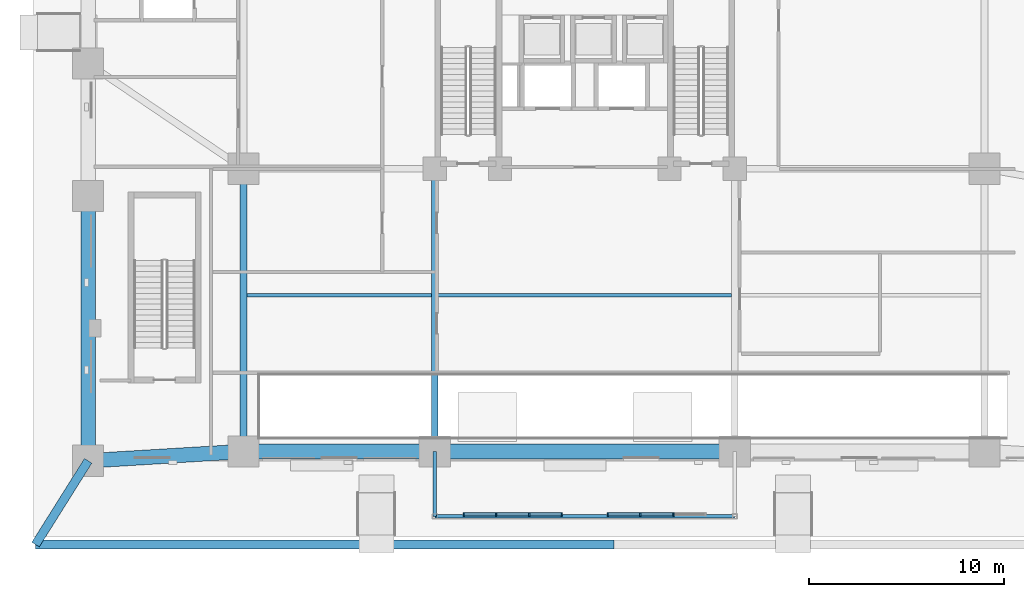
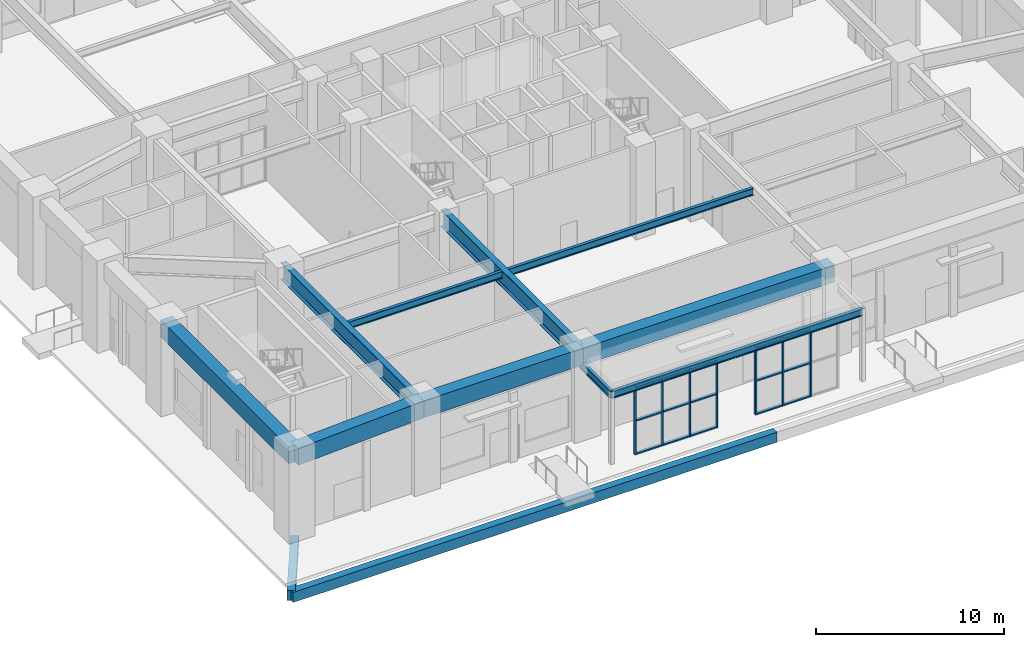
# One storey, part 6 of 24: 22 members, 12 beams, 2 elements without a shape of their own.
"""IFC4 building model written with IfcOpenShell, lengths in metres."""

from ifc_helpers import new_model, si_unit, derived_unit, direction, frame, origin, origin_2d, place, context, subcontext, project, spatial, rectangle, i_section, extrude, material, material_profile, profile_set, type_object, element, aggregate, save


model = new_model("IFC4")

# Units and contexts
model_context = context("Model", 3, precision=1e-05, world=origin(), true_north=direction((0.0, 1.0)))
body_context = subcontext(model_context, "Body", "Model", "MODEL_VIEW")
ifc_project = project(units=[si_unit("LENGTHUNIT", "METRE"), si_unit("AREAUNIT", "SQUARE_METRE"), si_unit("VOLUMEUNIT", "CUBIC_METRE"), si_unit("PLANEANGLEUNIT", "RADIAN"), si_unit("MASSUNIT", "GRAM", prefix="KILO"), derived_unit("THERMALTRANSMITTANCEUNIT", [(si_unit("MASSUNIT", "GRAM", prefix="KILO"), 1), (si_unit("TIMEUNIT", "SECOND"), -3), (si_unit("THERMODYNAMICTEMPERATUREUNIT", "KELVIN"), -1)])], contexts=[model_context])

# Site, building, storey
site_placement = place(None, origin())
site = spatial("IfcSite", under=ifc_project, at=site_placement, CompositionType="ELEMENT")
building_placement = place(site_placement, origin())
building = spatial("IfcBuilding", under=site, at=building_placement, Name="Korrvale Station Residences", CompositionType="ELEMENT")
storey_placement = place(building_placement, origin())
storey = spatial("IfcBuildingStorey", under=building, at=storey_placement, Name="L00", CompositionType="ELEMENT", Elevation=0.0)

# Beams
ifc_material_1 = material(Name="Concrete C50/60", Category="concrete")
ifc_material_profile_1 = material_profile(ifc_material_1, rectangle(XDim=0.449951171875, YDim=0.64990234375, at=origin_2d()), Name="RCB450x650")
ifc_profile_set_1 = profile_set([ifc_material_profile_1], Name="Concrete C50/60")
beam_type_1 = type_object("IfcBeamType", Name="BM-BM-RCB450x650-C5060", PredefinedType="BEAM", material=ifc_profile_set_1)
beam_1_placement = place(storey_placement, frame((-2.699951171875, -4.300048828125, -0.52490234375), z_axis=(1.0, 0.0, 0.0), x_axis=(0.0, 1.0, 0.0)))
element("IfcBeam", 1, at=beam_1_placement, inside=storey, type_object=beam_type_1, Name="L00 Station Forecourt Edge Beam 1", PredefinedType="BEAM", context=body_context, shape_type="SweptSolid", body=[
    extrude(rectangle(XDim=0.449951171875, YDim=0.64990234375, at=origin_2d()), origin(), (0.0, 0.0, 1.0), 29.699951171875),
])
beam_2_placement = place(storey_placement, frame((-2.699951171875, -4.300048828125, -0.52490234375), z_axis=(0.53175690427, 0.846897039055, 0.0), x_axis=(-0.846897039055, 0.53175690427, 0.0)))
element("IfcBeam", 2, at=beam_2_placement, inside=storey, type_object=beam_type_1, Name="L00 Station Forecourt Edge Beam 5", PredefinedType="BEAM", context=body_context, shape_type="SweptSolid", body=[
    extrude(rectangle(XDim=0.449951171875, YDim=0.64990234375, at=origin_2d()), origin(), (0.0, 0.0, 1.0), 5.077392578125),
])
ifc_material_2 = material(Name="Steel S355", Category="steel")
ifc_material_profile_2 = material_profile(ifc_material_2, i_section(OverallWidth=0.194091796875, OverallDepth=0.468994140625, WebThickness=0.0126953125, FlangeThickness=0.0205078125, FilletRadius=0.01611328125, at=origin_2d()), Name="W460x106")
ifc_profile_set_2 = profile_set([ifc_material_profile_2], Name="Steel S355")
beam_type_2 = type_object("IfcBeamType", Name="BM-BM-W460x106-S355", PredefinedType="BEAM", material=ifc_profile_set_2)
beam_3_placement = place(storey_placement, frame((17.800048828125, 0.47998046875, 4.4599609375), z_axis=(0.0, -1.0, 0.0), x_axis=(1.0, 0.0, 0.0)))
element("IfcBeam", 3, at=beam_3_placement, inside=storey, type_object=beam_type_2, Name="South Canopy Support Beam 1", PredefinedType="BEAM", context=body_context, shape_type="SweptSolid", body=[
    extrude(i_section(OverallWidth=0.194091796875, OverallDepth=0.468994140625, WebThickness=0.0126953125, FlangeThickness=0.0205078125, FilletRadius=0.01611328125, at=origin_2d()), origin(), (0.0, 0.0, 1.0), 3.330078125),
])
beam_4_placement = place(storey_placement, frame((17.800048828125, -2.85009765625, 4.4599609375), z_axis=(1.0, 0.0, 0.0), x_axis=(0.0, 1.0, 0.0)))
element("IfcBeam", 4, at=beam_4_placement, inside=storey, type_object=beam_type_2, Name="South Canopy Edge Tie Beam", PredefinedType="BEAM", context=body_context, shape_type="SweptSolid", body=[
    extrude(i_section(OverallWidth=0.194091796875, OverallDepth=0.468994140625, WebThickness=0.0126953125, FlangeThickness=0.0205078125, FilletRadius=0.01611328125, at=origin_2d()), origin(), (0.0, 0.0, 1.0), 15.39990234375),
])
ifc_material_profile_3 = material_profile(ifc_material_2, i_section(OverallWidth=0.35009765625, OverallDepth=1.10009765625, WebThickness=0.01611328125, FlangeThickness=0.034912109375, FilletRadius=0.01806640625, at=origin_2d()), Name="WWF1100x351")
ifc_profile_set_3 = profile_set([ifc_material_profile_3], Name="Steel S355")
beam_type_3 = type_object("IfcBeamType", Name="BM-BM-WWF1100x351-S355", PredefinedType="BEAM", material=ifc_profile_set_3)
for number, where, z_axis, x_axis, name in (
    (5, (7.97998046875, 0.47998046875, 5.1298828125), (0.0, 1.0, 0.0), (-1.0, 0.0, 0.0), "L00 Station Primary Girder 01"),
    (6, (17.800048828125, 0.47998046875, 5.1298828125), (0.0, 1.0, 0.0), (-1.0, 0.0, 0.0), "L00 Station Primary Girder 17"),
):
    element("IfcBeam", number, at=place(storey_placement, frame(where, z_axis=z_axis, x_axis=x_axis)), inside=storey, type_object=beam_type_3, Name=name, PredefinedType="BEAM", context=body_context, shape_type="SweptSolid", body=[
        extrude(i_section(OverallWidth=0.35009765625, OverallDepth=1.10009765625, WebThickness=0.01611328125, FlangeThickness=0.034912109375, FilletRadius=0.01806640625, at=origin_2d()), origin(), (0.0, 0.0, 1.0), 14.52001953125),
    ])
ifc_material_profile_4 = material_profile(ifc_material_2, i_section(OverallWidth=0.18994140625, OverallDepth=0.45703125, WebThickness=0.009033203125, FlangeThickness=0.014404296875, FilletRadius=0.01611328125, at=origin_2d()), Name="W460x74")
ifc_profile_set_4 = profile_set([ifc_material_profile_4], Name="Steel S355")
beam_type_4 = type_object("IfcBeamType", Name="BM-JST-W460x74-S355", PredefinedType="JOIST", material=ifc_profile_set_4)
beam_5_placement = place(storey_placement, frame((8.155029296875, 8.5, 5.451416015625), z_axis=(1.0, 0.0, 0.0), x_axis=(0.0, 1.0, 0.0)))
element("IfcBeam", 7, at=beam_5_placement, inside=storey, type_object=beam_type_4, Name="L00 Station Floor Joist 05", PredefinedType="JOIST", context=body_context, shape_type="SweptSolid", body=[
    extrude(i_section(OverallWidth=0.18994140625, OverallDepth=0.45703125, WebThickness=0.009033203125, FlangeThickness=0.014404296875, FilletRadius=0.01611328125, at=origin_2d()), origin(), (0.0, 0.0, 1.0), 9.469970703125),
])
beam_6_placement = place(storey_placement, frame((17.97509765625, 8.5, 5.451416015625), z_axis=(1.0, 0.0, 0.0), x_axis=(0.0, 1.0, 0.0)))
element("IfcBeam", 8, at=beam_6_placement, inside=storey, type_object=beam_type_4, Name="L00 Station Floor Joist 06", PredefinedType="JOIST", context=body_context, shape_type="SweptSolid", body=[
    extrude(i_section(OverallWidth=0.18994140625, OverallDepth=0.45703125, WebThickness=0.009033203125, FlangeThickness=0.014404296875, FilletRadius=0.01611328125, at=origin_2d()), origin(), (0.0, 0.0, 1.0), 15.0498046875),
])
ifc_material_3 = material(Name="Concrete C70/85", Category="concrete")
ifc_material_profile_5 = material_profile(ifc_material_3, rectangle(XDim=0.75, YDim=1.10009765625, at=origin_2d()), Name="RCB750x1100")
ifc_profile_set_5 = profile_set([ifc_material_profile_5], Name="Concrete C70/85")
beam_type_5 = type_object("IfcBeamType", Name="BM-SPB-RCB750x1100-C7085", PredefinedType="SPANDREL", material=ifc_profile_set_5)
beam_7_placement = place(storey_placement, frame((0.0, 0.0, 5.1298828125), z_axis=(0.0, 1.0, 0.0), x_axis=(-1.0, 0.0, 0.0)))
element("IfcBeam", 9, at=beam_7_placement, inside=storey, type_object=beam_type_5, Name="L00 Station Spandrel Beam 01", PredefinedType="SPANDREL", context=body_context, shape_type="SweptSolid", body=[
    extrude(rectangle(XDim=0.75, YDim=1.10009765625, at=origin_2d()), origin(), (0.0, 0.0, 1.0), 13.60009765625),
])
beam_8_placement = place(storey_placement, frame((0.0, 0.0, 5.1298828125), z_axis=(0.998195997903, 0.060039568374, 0.0), x_axis=(-0.060039568374, 0.998195997903, 0.0)))
element("IfcBeam", 10, at=beam_8_placement, inside=storey, type_object=beam_type_5, Name="L00 Station Spandrel Beam 11", PredefinedType="SPANDREL", context=body_context, shape_type="SweptSolid", body=[
    extrude(rectangle(XDim=0.75, YDim=1.10009765625, at=origin_2d()), origin(), (0.0, 0.0, 1.0), 7.994384765625),
])
beam_9_placement = place(storey_placement, frame((7.97998046875, 0.47998046875, 5.1298828125), z_axis=(1.0, 0.0, 0.0), x_axis=(0.0, 1.0, 0.0)))
element("IfcBeam", 11, at=beam_9_placement, inside=storey, type_object=beam_type_5, Name="L00 Station Spandrel Beam 12", PredefinedType="SPANDREL", context=body_context, shape_type="SweptSolid", body=[
    extrude(rectangle(XDim=0.75, YDim=1.10009765625, at=origin_2d()), origin(), (0.0, 0.0, 1.0), 9.820068359375),
])
beam_10_placement = place(storey_placement, frame((17.800048828125, 0.47998046875, 5.1298828125), z_axis=(1.0, 0.0, 0.0), x_axis=(0.0, 1.0, 0.0)))
element("IfcBeam", 12, at=beam_10_placement, inside=storey, type_object=beam_type_5, Name="L00 Station Spandrel Beam 13", PredefinedType="SPANDREL", context=body_context, shape_type="SweptSolid", body=[
    extrude(rectangle(XDim=0.75, YDim=1.10009765625, at=origin_2d()), origin(), (0.0, 0.0, 1.0), 15.39990234375),
])

# Curtain wall, members
ifc_material_4 = material(Name="Unitised thermally broken aluminium curtain wall with triple low-e IGU", Category="aluminium")
curtain_wall_type = type_object("IfcCurtainWallType", Name="CW-STN-ENT", PredefinedType="NOTDEFINED", material=ifc_material_4)
curtain_wall_1_placement = place(storey_placement, origin())
curtain_wall_1 = element("IfcCurtainWall", 13, at=curtain_wall_1_placement, inside=storey, type_object=curtain_wall_type, Name="L00 Curtain Wall CW1-RUN-1", PredefinedType="NOTDEFINED")
ifc_material_5 = material(Name="Extruded thermally broken aluminium mullion", Category="aluminium")
member_type_1 = type_object("IfcMemberType", Name="CW-STN-ENT-M", PredefinedType="MULLION", material=ifc_material_5)
member_1_placement = place(storey_placement, frame((19.29248046875, -2.75, 0.0), z_axis=(0.0, 0.0, 1.0), x_axis=(1.0, 0.0, 0.0)))
member_1 = element("IfcMember", 14, at=member_1_placement, type_object=member_type_1, Name="CW-STN-ENT Mullion 1", PredefinedType="MULLION", context=body_context, shape_type="SweptSolid", body=[
    extrude(rectangle(XDim=0.0849609375, YDim=0.179931640625, at=origin_2d()), origin(), (0.0, 0.0, 1.0), 4.39990234375),
])
member_2_placement = place(storey_placement, frame((20.949951171875, -2.75, 0.0), z_axis=(0.0, 0.0, 1.0), x_axis=(1.0, 0.0, 0.0)))
member_2 = element("IfcMember", 15, at=member_2_placement, type_object=member_type_1, Name="CW-STN-ENT Mullion 2", PredefinedType="MULLION", context=body_context, shape_type="SweptSolid", body=[
    extrude(rectangle(XDim=0.0849609375, YDim=0.179931640625, at=origin_2d()), origin(), (0.0, 0.0, 1.0), 4.39990234375),
])
member_3_placement = place(storey_placement, frame((22.64990234375, -2.75, 0.0), z_axis=(0.0, 0.0, 1.0), x_axis=(1.0, 0.0, 0.0)))
member_3 = element("IfcMember", 16, at=member_3_placement, type_object=member_type_1, Name="CW-STN-ENT Mullion 3", PredefinedType="MULLION", context=body_context, shape_type="SweptSolid", body=[
    extrude(rectangle(XDim=0.0849609375, YDim=0.179931640625, at=origin_2d()), origin(), (0.0, 0.0, 1.0), 4.39990234375),
])
member_4_placement = place(storey_placement, frame((24.3076171875, -2.75, 0.0), z_axis=(0.0, 0.0, 1.0), x_axis=(1.0, 0.0, 0.0)))
member_4 = element("IfcMember", 17, at=member_4_placement, type_object=member_type_1, Name="CW-STN-ENT Mullion 4", PredefinedType="MULLION", context=body_context, shape_type="SweptSolid", body=[
    extrude(rectangle(XDim=0.0849609375, YDim=0.179931640625, at=origin_2d()), origin(), (0.0, 0.0, 1.0), 4.39990234375),
])

curtain_wall_2_placement = place(storey_placement, origin())
curtain_wall_2 = element("IfcCurtainWall", 18, at=curtain_wall_2_placement, inside=storey, type_object=curtain_wall_type, Name="L00 Curtain Wall CW1-RUN-2", PredefinedType="NOTDEFINED")
member_5_placement = place(storey_placement, frame((26.6923828125, -2.75, 0.0), z_axis=(0.0, 0.0, 1.0), x_axis=(1.0, 0.0, 0.0)))
member_5 = element("IfcMember", 19, at=member_5_placement, type_object=member_type_1, Name="CW-STN-ENT Mullion 1", PredefinedType="MULLION", context=body_context, shape_type="SweptSolid", body=[
    extrude(rectangle(XDim=0.0849609375, YDim=0.179931640625, at=origin_2d()), origin(), (0.0, 0.0, 1.0), 4.39990234375),
])
member_6_placement = place(storey_placement, frame((28.35009765625, -2.75, 0.0), z_axis=(0.0, 0.0, 1.0), x_axis=(1.0, 0.0, 0.0)))
member_6 = element("IfcMember", 20, at=member_6_placement, type_object=member_type_1, Name="CW-STN-ENT Mullion 2", PredefinedType="MULLION", context=body_context, shape_type="SweptSolid", body=[
    extrude(rectangle(XDim=0.0849609375, YDim=0.179931640625, at=origin_2d()), origin(), (0.0, 0.0, 1.0), 4.39990234375),
])
member_7_placement = place(storey_placement, frame((30.050048828125, -2.75, 0.0), z_axis=(0.0, 0.0, 1.0), x_axis=(1.0, 0.0, 0.0)))
member_7 = element("IfcMember", 21, at=member_7_placement, type_object=member_type_1, Name="CW-STN-ENT Mullion 3", PredefinedType="MULLION", context=body_context, shape_type="SweptSolid", body=[
    extrude(rectangle(XDim=0.0849609375, YDim=0.179931640625, at=origin_2d()), origin(), (0.0, 0.0, 1.0), 4.39990234375),
])

# Member
ifc_material_6 = material(Name="Extruded thermally broken aluminium transom", Category="aluminium")
member_type_2 = type_object("IfcMemberType", Name="CW-STN-ENT-T", PredefinedType="USERDEFINED", material=ifc_material_6)
member_8_placement = place(storey_placement, frame((20.10009765625, -2.75, 0.0), z_axis=(0.0, 0.0, 1.0), x_axis=(1.0, 0.0, 0.0)))
member_8 = element("IfcMember", 22, at=member_8_placement, type_object=member_type_2, Name="CW-STN-ENT Transom 1-1", ObjectType="TRANSOM", PredefinedType="USERDEFINED", context=body_context, shape_type="SweptSolid", body=[
    extrude(rectangle(XDim=1.614990234375, YDim=0.179931640625, at=origin_2d()), origin(), (0.0, 0.0, 1.0), 0.0849609375),
])

member_9_placement = place(storey_placement, frame((20.10009765625, -2.75, 2.157470703125), z_axis=(0.0, 0.0, 1.0), x_axis=(1.0, 0.0, 0.0)))
member_9 = element("IfcMember", 23, at=member_9_placement, type_object=member_type_2, Name="CW-STN-ENT Transom 1-2", ObjectType="TRANSOM", PredefinedType="USERDEFINED", context=body_context, shape_type="SweptSolid", body=[
    extrude(rectangle(XDim=1.614990234375, YDim=0.179931640625, at=origin_2d()), origin(), (0.0, 0.0, 1.0), 0.0849609375),
])

member_10_placement = place(storey_placement, frame((20.10009765625, -2.75, 4.31494140625), z_axis=(0.0, 0.0, 1.0), x_axis=(1.0, 0.0, 0.0)))
member_10 = element("IfcMember", 24, at=member_10_placement, type_object=member_type_2, Name="CW-STN-ENT Transom 1-3", ObjectType="TRANSOM", PredefinedType="USERDEFINED", context=body_context, shape_type="SweptSolid", body=[
    extrude(rectangle(XDim=1.614990234375, YDim=0.179931640625, at=origin_2d()), origin(), (0.0, 0.0, 1.0), 0.0849609375),
])

member_11_placement = place(storey_placement, frame((21.800048828125, -2.75, 0.0), z_axis=(0.0, 0.0, 1.0), x_axis=(1.0, 0.0, 0.0)))
member_11 = element("IfcMember", 25, at=member_11_placement, type_object=member_type_2, Name="CW-STN-ENT Transom 2-1", ObjectType="TRANSOM", PredefinedType="USERDEFINED", context=body_context, shape_type="SweptSolid", body=[
    extrude(rectangle(XDim=1.614990234375, YDim=0.179931640625, at=origin_2d()), origin(), (0.0, 0.0, 1.0), 0.0849609375),
])

member_12_placement = place(storey_placement, frame((21.800048828125, -2.75, 2.157470703125), z_axis=(0.0, 0.0, 1.0), x_axis=(1.0, 0.0, 0.0)))
member_12 = element("IfcMember", 26, at=member_12_placement, type_object=member_type_2, Name="CW-STN-ENT Transom 2-2", ObjectType="TRANSOM", PredefinedType="USERDEFINED", context=body_context, shape_type="SweptSolid", body=[
    extrude(rectangle(XDim=1.614990234375, YDim=0.179931640625, at=origin_2d()), origin(), (0.0, 0.0, 1.0), 0.0849609375),
])

member_13_placement = place(storey_placement, frame((21.800048828125, -2.75, 4.31494140625), z_axis=(0.0, 0.0, 1.0), x_axis=(1.0, 0.0, 0.0)))
member_13 = element("IfcMember", 27, at=member_13_placement, type_object=member_type_2, Name="CW-STN-ENT Transom 2-3", ObjectType="TRANSOM", PredefinedType="USERDEFINED", context=body_context, shape_type="SweptSolid", body=[
    extrude(rectangle(XDim=1.614990234375, YDim=0.179931640625, at=origin_2d()), origin(), (0.0, 0.0, 1.0), 0.0849609375),
])

member_14_placement = place(storey_placement, frame((23.5, -2.75, 0.0), z_axis=(0.0, 0.0, 1.0), x_axis=(1.0, 0.0, 0.0)))
member_14 = element("IfcMember", 28, at=member_14_placement, type_object=member_type_2, Name="CW-STN-ENT Transom 3-1", ObjectType="TRANSOM", PredefinedType="USERDEFINED", context=body_context, shape_type="SweptSolid", body=[
    extrude(rectangle(XDim=1.614990234375, YDim=0.179931640625, at=origin_2d()), origin(), (0.0, 0.0, 1.0), 0.0849609375),
])

member_15_placement = place(storey_placement, frame((23.5, -2.75, 2.157470703125), z_axis=(0.0, 0.0, 1.0), x_axis=(1.0, 0.0, 0.0)))
member_15 = element("IfcMember", 29, at=member_15_placement, type_object=member_type_2, Name="CW-STN-ENT Transom 3-2", ObjectType="TRANSOM", PredefinedType="USERDEFINED", context=body_context, shape_type="SweptSolid", body=[
    extrude(rectangle(XDim=1.614990234375, YDim=0.179931640625, at=origin_2d()), origin(), (0.0, 0.0, 1.0), 0.0849609375),
])

member_16_placement = place(storey_placement, frame((23.5, -2.75, 4.31494140625), z_axis=(0.0, 0.0, 1.0), x_axis=(1.0, 0.0, 0.0)))
member_16 = element("IfcMember", 30, at=member_16_placement, type_object=member_type_2, Name="CW-STN-ENT Transom 3-3", ObjectType="TRANSOM", PredefinedType="USERDEFINED", context=body_context, shape_type="SweptSolid", body=[
    extrude(rectangle(XDim=1.614990234375, YDim=0.179931640625, at=origin_2d()), origin(), (0.0, 0.0, 1.0), 0.0849609375),
])

aggregate(curtain_wall_1, [member_1, member_2, member_3, member_4, member_8, member_9, member_10, member_11, member_12, member_13, member_14, member_15, member_16])

member_17_placement = place(storey_placement, frame((27.5, -2.75, 0.0), z_axis=(0.0, 0.0, 1.0), x_axis=(1.0, 0.0, 0.0)))
member_17 = element("IfcMember", 31, at=member_17_placement, type_object=member_type_2, Name="CW-STN-ENT Transom 1-1", ObjectType="TRANSOM", PredefinedType="USERDEFINED", context=body_context, shape_type="SweptSolid", body=[
    extrude(rectangle(XDim=1.614990234375, YDim=0.179931640625, at=origin_2d()), origin(), (0.0, 0.0, 1.0), 0.0849609375),
])

member_18_placement = place(storey_placement, frame((27.5, -2.75, 2.157470703125), z_axis=(0.0, 0.0, 1.0), x_axis=(1.0, 0.0, 0.0)))
member_18 = element("IfcMember", 32, at=member_18_placement, type_object=member_type_2, Name="CW-STN-ENT Transom 1-2", ObjectType="TRANSOM", PredefinedType="USERDEFINED", context=body_context, shape_type="SweptSolid", body=[
    extrude(rectangle(XDim=1.614990234375, YDim=0.179931640625, at=origin_2d()), origin(), (0.0, 0.0, 1.0), 0.0849609375),
])

member_19_placement = place(storey_placement, frame((27.5, -2.75, 4.31494140625), z_axis=(0.0, 0.0, 1.0), x_axis=(1.0, 0.0, 0.0)))
member_19 = element("IfcMember", 33, at=member_19_placement, type_object=member_type_2, Name="CW-STN-ENT Transom 1-3", ObjectType="TRANSOM", PredefinedType="USERDEFINED", context=body_context, shape_type="SweptSolid", body=[
    extrude(rectangle(XDim=1.614990234375, YDim=0.179931640625, at=origin_2d()), origin(), (0.0, 0.0, 1.0), 0.0849609375),
])

member_20_placement = place(storey_placement, frame((29.199951171875, -2.75, 0.0), z_axis=(0.0, 0.0, 1.0), x_axis=(1.0, 0.0, 0.0)))
member_20 = element("IfcMember", 34, at=member_20_placement, type_object=member_type_2, Name="CW-STN-ENT Transom 2-1", ObjectType="TRANSOM", PredefinedType="USERDEFINED", context=body_context, shape_type="SweptSolid", body=[
    extrude(rectangle(XDim=1.614990234375, YDim=0.179931640625, at=origin_2d()), origin(), (0.0, 0.0, 1.0), 0.0849609375),
])

member_21_placement = place(storey_placement, frame((29.199951171875, -2.75, 2.157470703125), z_axis=(0.0, 0.0, 1.0), x_axis=(1.0, 0.0, 0.0)))
member_21 = element("IfcMember", 35, at=member_21_placement, type_object=member_type_2, Name="CW-STN-ENT Transom 2-2", ObjectType="TRANSOM", PredefinedType="USERDEFINED", context=body_context, shape_type="SweptSolid", body=[
    extrude(rectangle(XDim=1.614990234375, YDim=0.179931640625, at=origin_2d()), origin(), (0.0, 0.0, 1.0), 0.0849609375),
])

member_22_placement = place(storey_placement, frame((29.199951171875, -2.75, 4.31494140625), z_axis=(0.0, 0.0, 1.0), x_axis=(1.0, 0.0, 0.0)))
member_22 = element("IfcMember", 36, at=member_22_placement, type_object=member_type_2, Name="CW-STN-ENT Transom 2-3", ObjectType="TRANSOM", PredefinedType="USERDEFINED", context=body_context, shape_type="SweptSolid", body=[
    extrude(rectangle(XDim=1.614990234375, YDim=0.179931640625, at=origin_2d()), origin(), (0.0, 0.0, 1.0), 0.0849609375),
])

aggregate(curtain_wall_2, [member_5, member_6, member_7, member_17, member_18, member_19, member_20, member_21, member_22])

save(model, "model.ifc")
